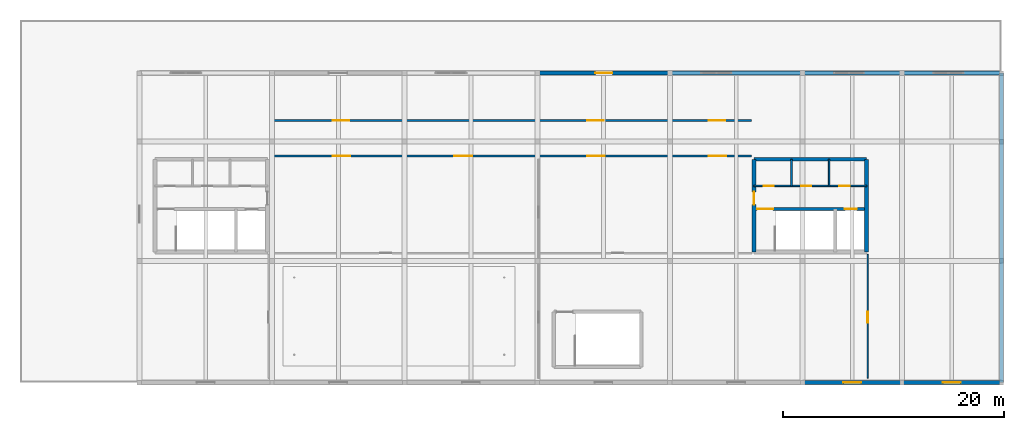
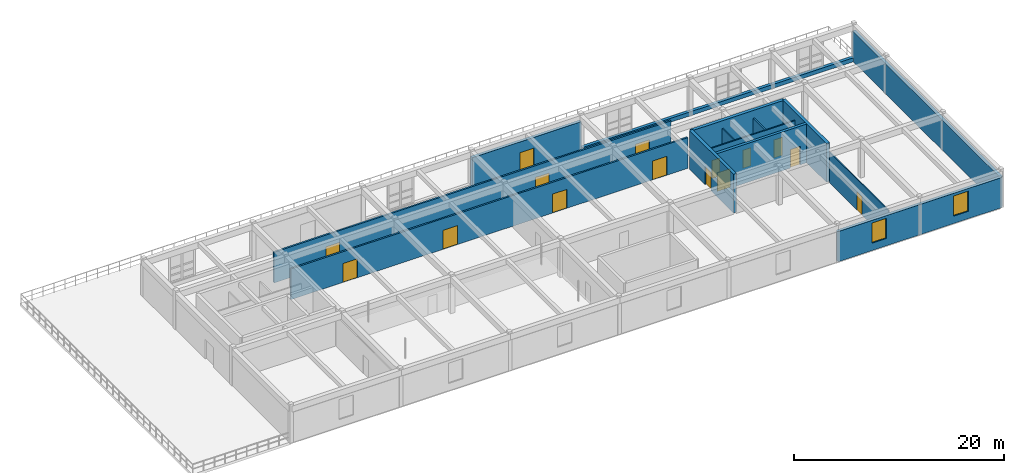
# One storey, part 13 of 15: 17 walls, 15 doors, 2 windows, 17 openings.
"""IFC4 building model written with IfcOpenShell, lengths in metres."""

from ifc_helpers import new_model, si_unit, derived_unit, direction, frame, frame_2d, origin, place, context, subcontext, project, spatial, rectangle, extrude, material, layer, layer_set, type_object, element, fill, save


model = new_model("IFC4")

# Units and contexts
model_context = context("Model", 3, precision=1e-05, world=origin(), true_north=direction((0.0, 1.0)))
body_context = subcontext(model_context, "Body", "Model", "MODEL_VIEW")
ifc_project = project(units=[si_unit("LENGTHUNIT", "METRE"), si_unit("AREAUNIT", "SQUARE_METRE"), si_unit("VOLUMEUNIT", "CUBIC_METRE"), si_unit("PLANEANGLEUNIT", "RADIAN"), si_unit("MASSUNIT", "GRAM", prefix="KILO"), derived_unit("THERMALTRANSMITTANCEUNIT", [(si_unit("POWERUNIT", "WATT"), 1), (si_unit("LENGTHUNIT", "METRE"), -2), (si_unit("THERMODYNAMICTEMPERATUREUNIT", "KELVIN"), -1)])], contexts=[model_context])

# Site, building, storey
site_placement = place(None, origin())
site = spatial("IfcSite", under=ifc_project, at=site_placement, CompositionType="ELEMENT")
building_placement = place(site_placement, origin())
building = spatial("IfcBuilding", under=site, at=building_placement, Name="Almenara Railside Exhibition Hall", CompositionType="ELEMENT")
storey_placement = place(building_placement, frame((0.0, 0.0, 16.199951171875)))
storey = spatial("IfcBuildingStorey", under=building, at=storey_placement, Name="L03", CompositionType="ELEMENT", Elevation=16.199951171875)

# Wall
ifc_material_1 = material(Name="Concrete C35/45", Category="concrete")
ifc_layer_1 = layer(ifc_material_1, 0.35009765625, Name="Concrete C35/45")
ifc_layer_set_1 = layer_set([ifc_layer_1], Name="Concrete C35/45")
wall_type_1 = type_object("IfcWallType", Name="Core Coupled Shear Wall 350mm C35/45", PredefinedType="SHEAR", material=ifc_layer_set_1)
wall_1_placement = place(storey_placement, frame((191.800048828125, 20.199951171875, 0.0), z_axis=(0.0, 0.0, 1.0), x_axis=(-1.0, 0.0, 0.0)))
element("IfcWall", 1, at=wall_1_placement, inside=storey, type_object=wall_type_1, Name="Interior wall 0182", PredefinedType="SHEAR", context=body_context, shape_type="SweptSolid", body=[
    extrude(rectangle(XDim=10.199951171875, YDim=0.35009765625, at=frame_2d((5.10009765625, 0.0))), origin(), (0.0, 0.0, 1.0), 4.5),
])

# Wall, opening, door
wall_2_placement = place(storey_placement, frame((181.60009765625, 20.199951171875, 0.0), z_axis=(0.0, 0.0, 1.0), x_axis=(0.0, -1.0, 0.0)))
wall_2 = element("IfcWall", 2, at=wall_2_placement, inside=storey, type_object=wall_type_1, Name="Interior wall 0183", PredefinedType="SHEAR", context=body_context, shape_type="SweptSolid", body=[
    extrude(rectangle(XDim=8.39990234375, YDim=0.35009765625, at=frame_2d((4.199951171875, 0.0))), origin(), (0.0, 0.0, 1.0), 4.5),
])
opening_1_placement = place(wall_2_placement, frame((2.949951171875, 0.0, 0.0)))
opening_1 = element("IfcOpeningElement", 3, at=opening_1_placement, cuts=wall_2, Name="Opening FD-115", PredefinedType="OPENING", context=body_context, shape_type="SweptSolid", body=[
    extrude(rectangle(XDim=1.14990234375, YDim=2.14990234375, at=frame_2d((0.574951171875, 1.074951171875))), frame((0.0, 0.18505859375, 0.0), z_axis=(0.0, -1.0, 0.0), x_axis=(1.0, 0.0, 0.0)), (0.0, 0.0, 1.0), 0.3701171875),
])
ifc_material_2 = material(Name="Fire-rated iroko timber door", Category="wood")
door_type_1 = type_object("IfcDoorType", Name="Core Lobby Fire Door 1150x2150 EI60", OperationType="NOTDEFINED", PredefinedType="DOOR", material=ifc_material_2)
door_1_placement = place(opening_1_placement, origin())
door_1 = element("IfcDoor", 4, at=door_1_placement, inside=storey, type_object=door_type_1, Name="Interior door FD-115-121", OperationType="SINGLE_SWING_LEFT", OverallHeight=2.14990234375, OverallWidth=1.14990234375, PredefinedType="DOOR", context=body_context, shape_type="SweptSolid", body=[
    extrude(rectangle(XDim=1.14990234375, YDim=2.14990234375, at=frame_2d((0.574951171875, 1.074951171875))), frame((0.0, 0.02490234375, 0.0), z_axis=(0.0, -1.0, 0.0), x_axis=(1.0, 0.0, 0.0)), (0.0, 0.0, 1.0), 0.050048828125),
])
fill(opening_1, door_1)

# Wall
wall_3_placement = place(storey_placement, frame((191.800048828125, 11.800048828125, 0.0), z_axis=(0.0, 0.0, 1.0), x_axis=(0.0, 1.0, 0.0)))
element("IfcWall", 5, at=wall_3_placement, inside=storey, type_object=wall_type_1, Name="Interior wall 0184", PredefinedType="SHEAR", context=body_context, shape_type="SweptSolid", body=[
    extrude(rectangle(XDim=8.39990234375, YDim=0.35009765625, at=frame_2d((4.199951171875, 0.0))), origin(), (0.0, 0.0, 1.0), 4.5),
])

# Wall, openings, doors
ifc_material_3 = material(Name="Fire-rated gypsum and masonry partition", Category="masonry")
ifc_layer_2 = layer(ifc_material_3, 0.18505859375, Name="Fire-rated gypsum and masonry partition")
ifc_layer_set_2 = layer_set([ifc_layer_2], Name="Fire-rated gypsum and masonry partition")
wall_type_2 = type_object("IfcWallType", Name="Corridor Fire Partition 185mm", PredefinedType="PARTITIONING", material=ifc_layer_set_2)
wall_4_placement = place(storey_placement, frame((137.800048828125, 20.5, 0.0), z_axis=(0.0, 0.0, 1.0), x_axis=(1.0, 0.0, 0.0)))
wall_4 = element("IfcWall", 6, at=wall_4_placement, inside=storey, type_object=wall_type_2, Name="Interior wall 0390", PredefinedType="PARTITIONING", context=body_context, shape_type="SweptSolid", body=[
    extrude(rectangle(XDim=43.599853515625, YDim=0.18505859375, at=frame_2d((21.7998046875, 0.0))), origin(), (0.0, 0.0, 1.0), 3.56494140625),
])
opening_2_placement = place(wall_4_placement, frame((5.699951171875, 0.0, 0.0)))
opening_2 = element("IfcOpeningElement", 7, at=opening_2_placement, cuts=wall_4, Name="Opening ID-16", PredefinedType="OPENING", context=body_context, shape_type="SweptSolid", body=[
    extrude(rectangle(XDim=1.60009765625, YDim=2.199951171875, at=frame_2d((0.800048828125, 1.10009765625))), frame((0.0, 0.1025390625, 0.0), z_axis=(0.0, -1.0, 0.0), x_axis=(1.0, 0.0, 0.0)), (0.0, 0.0, 1.0), 0.205078125),
])
opening_3_placement = place(wall_4_placement, frame((28.699951171875, 0.0, 0.0)))
opening_3 = element("IfcOpeningElement", 8, at=opening_3_placement, cuts=wall_4, Name="Opening ID-16", PredefinedType="OPENING", context=body_context, shape_type="SweptSolid", body=[
    extrude(rectangle(XDim=1.60009765625, YDim=2.199951171875, at=frame_2d((0.800048828125, 1.10009765625))), frame((0.0, 0.1025390625, 0.0), z_axis=(0.0, -1.0, 0.0), x_axis=(1.0, 0.0, 0.0)), (0.0, 0.0, 1.0), 0.205078125),
])
opening_4_placement = place(wall_4_placement, frame((39.699951171875, 0.0, 0.0)))
opening_4 = element("IfcOpeningElement", 9, at=opening_4_placement, cuts=wall_4, Name="Opening ID-16", PredefinedType="OPENING", context=body_context, shape_type="SweptSolid", body=[
    extrude(rectangle(XDim=1.60009765625, YDim=2.199951171875, at=frame_2d((0.800048828125, 1.10009765625))), frame((0.0, 0.1025390625, 0.0), z_axis=(0.0, -1.0, 0.0), x_axis=(1.0, 0.0, 0.0)), (0.0, 0.0, 1.0), 0.205078125),
])
opening_5_placement = place(wall_4_placement, frame((16.699951171875, 0.0, 0.0)))
opening_5 = element("IfcOpeningElement", 10, at=opening_5_placement, cuts=wall_4, Name="Opening ID-16", PredefinedType="OPENING", context=body_context, shape_type="SweptSolid", body=[
    extrude(rectangle(XDim=1.60009765625, YDim=2.199951171875, at=frame_2d((0.800048828125, 1.10009765625))), frame((0.0, 0.1025390625, 0.0), z_axis=(0.0, -1.0, 0.0), x_axis=(1.0, 0.0, 0.0)), (0.0, 0.0, 1.0), 0.205078125),
])
ifc_material_4 = material(Name="Iroko hardwood double door", Category="wood")
door_type_2 = type_object("IfcDoorType", Name="Meeting Suite Double Door 1600x2200", OperationType="NOTDEFINED", PredefinedType="DOOR", material=ifc_material_4)
door_2_placement = place(opening_2_placement, origin())
door_2 = element("IfcDoor", 11, at=door_2_placement, inside=storey, type_object=door_type_2, Name="Interior door ID-16-265", OperationType="DOUBLE_DOOR_SINGLE_SWING", OverallHeight=2.199951171875, OverallWidth=1.60009765625, PredefinedType="DOOR", context=body_context, shape_type="SweptSolid", body=[
    extrude(rectangle(XDim=1.60009765625, YDim=2.199951171875, at=frame_2d((0.800048828125, 1.10009765625))), frame((0.0, 0.02490234375, 0.0), z_axis=(0.0, -1.0, 0.0), x_axis=(1.0, 0.0, 0.0)), (0.0, 0.0, 1.0), 0.050048828125),
])
fill(opening_2, door_2)
door_3_placement = place(opening_3_placement, origin())
door_3 = element("IfcDoor", 12, at=door_3_placement, inside=storey, type_object=door_type_2, Name="Interior door ID-16-267", OperationType="DOUBLE_DOOR_SINGLE_SWING", OverallHeight=2.199951171875, OverallWidth=1.60009765625, PredefinedType="DOOR", context=body_context, shape_type="SweptSolid", body=[
    extrude(rectangle(XDim=1.60009765625, YDim=2.199951171875, at=frame_2d((0.800048828125, 1.10009765625))), frame((0.0, 0.02490234375, 0.0), z_axis=(0.0, -1.0, 0.0), x_axis=(1.0, 0.0, 0.0)), (0.0, 0.0, 1.0), 0.050048828125),
])
fill(opening_3, door_3)
door_4_placement = place(opening_4_placement, origin())
door_4 = element("IfcDoor", 13, at=door_4_placement, inside=storey, type_object=door_type_2, Name="Interior door ID-16-269", OperationType="DOUBLE_DOOR_SINGLE_SWING", OverallHeight=2.199951171875, OverallWidth=1.60009765625, PredefinedType="DOOR", context=body_context, shape_type="SweptSolid", body=[
    extrude(rectangle(XDim=1.60009765625, YDim=2.199951171875, at=frame_2d((0.800048828125, 1.10009765625))), frame((0.0, 0.02490234375, 0.0), z_axis=(0.0, -1.0, 0.0), x_axis=(1.0, 0.0, 0.0)), (0.0, 0.0, 1.0), 0.050048828125),
])
fill(opening_4, door_4)
door_5_placement = place(opening_5_placement, origin())
door_5 = element("IfcDoor", 14, at=door_5_placement, inside=storey, type_object=door_type_2, Name="Interior door ID-16-271", OperationType="DOUBLE_DOOR_SINGLE_SWING", OverallHeight=2.199951171875, OverallWidth=1.60009765625, PredefinedType="DOOR", context=body_context, shape_type="SweptSolid", body=[
    extrude(rectangle(XDim=1.60009765625, YDim=2.199951171875, at=frame_2d((0.800048828125, 1.10009765625))), frame((0.0, 0.02490234375, 0.0), z_axis=(0.0, -1.0, 0.0), x_axis=(1.0, 0.0, 0.0)), (0.0, 0.0, 1.0), 0.050048828125),
])
fill(opening_5, door_5)

wall_5_placement = place(storey_placement, frame((137.800048828125, 23.699951171875, 0.0), z_axis=(0.0, 0.0, 1.0), x_axis=(1.0, 0.0, 0.0)))
wall_5 = element("IfcWall", 15, at=wall_5_placement, inside=storey, type_object=wall_type_2, Name="Interior wall 0391", PredefinedType="PARTITIONING", context=body_context, shape_type="SweptSolid", body=[
    extrude(rectangle(XDim=43.599853515625, YDim=0.18505859375, at=frame_2d((21.7998046875, 0.0))), origin(), (0.0, 0.0, 1.0), 3.56494140625),
])
opening_6_placement = place(wall_5_placement, frame((5.699951171875, 0.0, 0.0)))
opening_6 = element("IfcOpeningElement", 16, at=opening_6_placement, cuts=wall_5, Name="Opening ID-15", PredefinedType="OPENING", context=body_context, shape_type="SweptSolid", body=[
    extrude(rectangle(XDim=1.5, YDim=2.199951171875, at=frame_2d((0.75, 1.10009765625))), frame((0.0, 0.1025390625, 0.0), z_axis=(0.0, -1.0, 0.0), x_axis=(1.0, 0.0, 0.0)), (0.0, 0.0, 1.0), 0.205078125),
])
opening_7_placement = place(wall_5_placement, frame((28.699951171875, 0.0, 0.0)))
opening_7 = element("IfcOpeningElement", 17, at=opening_7_placement, cuts=wall_5, Name="Opening ID-15", PredefinedType="OPENING", context=body_context, shape_type="SweptSolid", body=[
    extrude(rectangle(XDim=1.5, YDim=2.199951171875, at=frame_2d((0.75, 1.10009765625))), frame((0.0, 0.1025390625, 0.0), z_axis=(0.0, -1.0, 0.0), x_axis=(1.0, 0.0, 0.0)), (0.0, 0.0, 1.0), 0.205078125),
])
opening_8_placement = place(wall_5_placement, frame((39.699951171875, 0.0, 0.0)))
opening_8 = element("IfcOpeningElement", 18, at=opening_8_placement, cuts=wall_5, Name="Opening ID-15", PredefinedType="OPENING", context=body_context, shape_type="SweptSolid", body=[
    extrude(rectangle(XDim=1.5, YDim=2.199951171875, at=frame_2d((0.75, 1.10009765625))), frame((0.0, 0.1025390625, 0.0), z_axis=(0.0, -1.0, 0.0), x_axis=(1.0, 0.0, 0.0)), (0.0, 0.0, 1.0), 0.205078125),
])
door_type_3 = type_object("IfcDoorType", Name="Gallery Double Door 1500x2200", OperationType="NOTDEFINED", PredefinedType="DOOR", material=ifc_material_4)
door_6_placement = place(opening_6_placement, origin())
door_6 = element("IfcDoor", 19, at=door_6_placement, inside=storey, type_object=door_type_3, Name="Interior door ID-15-266", OperationType="DOUBLE_DOOR_SINGLE_SWING", OverallHeight=2.199951171875, OverallWidth=1.5, PredefinedType="DOOR", context=body_context, shape_type="SweptSolid", body=[
    extrude(rectangle(XDim=1.5, YDim=2.199951171875, at=frame_2d((0.75, 1.10009765625))), frame((0.0, 0.02490234375, 0.0), z_axis=(0.0, -1.0, 0.0), x_axis=(1.0, 0.0, 0.0)), (0.0, 0.0, 1.0), 0.050048828125),
])
fill(opening_6, door_6)
door_7_placement = place(opening_7_placement, origin())
door_7 = element("IfcDoor", 20, at=door_7_placement, inside=storey, type_object=door_type_3, Name="Interior door ID-15-268", OperationType="DOUBLE_DOOR_SINGLE_SWING", OverallHeight=2.199951171875, OverallWidth=1.5, PredefinedType="DOOR", context=body_context, shape_type="SweptSolid", body=[
    extrude(rectangle(XDim=1.5, YDim=2.199951171875, at=frame_2d((0.75, 1.10009765625))), frame((0.0, 0.02490234375, 0.0), z_axis=(0.0, -1.0, 0.0), x_axis=(1.0, 0.0, 0.0)), (0.0, 0.0, 1.0), 0.050048828125),
])
fill(opening_7, door_7)
door_8_placement = place(opening_8_placement, origin())
door_8 = element("IfcDoor", 21, at=door_8_placement, inside=storey, type_object=door_type_3, Name="Interior door ID-15-270", OperationType="DOUBLE_DOOR_SINGLE_SWING", OverallHeight=2.199951171875, OverallWidth=1.5, PredefinedType="DOOR", context=body_context, shape_type="SweptSolid", body=[
    extrude(rectangle(XDim=1.5, YDim=2.199951171875, at=frame_2d((0.75, 1.10009765625))), frame((0.0, 0.02490234375, 0.0), z_axis=(0.0, -1.0, 0.0), x_axis=(1.0, 0.0, 0.0)), (0.0, 0.0, 1.0), 0.050048828125),
])
fill(opening_8, door_8)

# Wall, opening, door
ifc_material_5 = material(Name="Ochre-white lime-rendered masonry over Concrete C35/45", Category="masonry")
ifc_layer_3 = layer(ifc_material_5, 0.3349609375, Name="Ochre-white lime-rendered masonry over Concrete C35/45")
ifc_layer_set_3 = layer_set([ifc_layer_3], Name="Ochre-white lime-rendered masonry over Concrete C35/45")
wall_type_3 = type_object("IfcWallType", Name="Exterior Belvedere Wall 335mm C35/45", PredefinedType="SOLIDWALL", material=ifc_layer_set_3)
wall_6_placement = place(storey_placement, frame((174.0, 28.0, 0.0), z_axis=(0.0, 0.0, 1.0), x_axis=(-1.0, 0.0, 0.0)))
wall_6 = element("IfcWall", 22, at=wall_6_placement, inside=storey, type_object=wall_type_3, Name="Exterior wall 0287", PredefinedType="SOLIDWALL", context=body_context, shape_type="SweptSolid", body=[
    extrude(rectangle(XDim=12.0, YDim=0.3349609375, at=frame_2d((6.0, 0.0))), origin(), (0.0, 0.0, 1.0), 3.5),
])
opening_9_placement = place(wall_6_placement, frame((5.199951171875, 0.0, 0.0)))
opening_9 = element("IfcOpeningElement", 23, at=opening_9_placement, cuts=wall_6, Name="Opening TD-05", PredefinedType="OPENING", context=body_context, shape_type="SweptSolid", body=[
    extrude(rectangle(XDim=1.550048828125, YDim=2.25, at=frame_2d((0.77490234375, 1.125))), frame((0.0, 0.177490234375, 0.0), z_axis=(0.0, -1.0, 0.0), x_axis=(1.0, 0.0, 0.0)), (0.0, 0.0, 1.0), 0.35498046875),
])
ifc_material_6 = material(Name="Bronze-anodised glazed terrace door")
door_type_4 = type_object("IfcDoorType", Name="Belvedere Terrace Double Door 1550x2250", OperationType="NOTDEFINED", PredefinedType="DOOR", material=ifc_material_6)
door_9_placement = place(opening_9_placement, origin())
door_9 = element("IfcDoor", 24, at=door_9_placement, inside=storey, type_object=door_type_4, Name="Exterior door TD-05", OperationType="DOUBLE_DOOR_SINGLE_SWING", OverallHeight=2.25, OverallWidth=1.550048828125, PredefinedType="DOOR", context=body_context, shape_type="SweptSolid", body=[
    extrude(rectangle(XDim=1.550048828125, YDim=2.25, at=frame_2d((0.77490234375, 1.125))), frame((0.0, 0.02490234375, 0.0), z_axis=(0.0, -1.0, 0.0), x_axis=(1.0, 0.0, 0.0)), (0.0, 0.0, 1.0), 0.050048828125),
])
fill(opening_9, door_9)

# Wall
wall_7_placement = place(storey_placement, frame((186.0, 28.0, 0.0), z_axis=(0.0, 0.0, 1.0), x_axis=(-1.0, 0.0, 0.0)))
element("IfcWall", 25, at=wall_7_placement, inside=storey, type_object=wall_type_3, Name="Exterior wall 0289", PredefinedType="SOLIDWALL", context=body_context, shape_type="SweptSolid", body=[
    extrude(rectangle(XDim=12.0, YDim=0.3349609375, at=frame_2d((6.0, 0.0))), origin(), (0.0, 0.0, 1.0), 0.449951171875),
])

# Wall, opening, window
wall_8_placement = place(storey_placement, frame((186.0, 0.0, 0.0), z_axis=(0.0, 0.0, 1.0), x_axis=(1.0, 0.0, 0.0)))
wall_8 = element("IfcWall", 26, at=wall_8_placement, inside=storey, type_object=wall_type_3, Name="Exterior wall 0290", PredefinedType="SOLIDWALL", context=body_context, shape_type="SweptSolid", body=[
    extrude(rectangle(XDim=9.0, YDim=0.3349609375, at=frame_2d((4.5, 0.0))), origin(), (0.0, 0.0, 1.0), 3.5),
])
opening_10_placement = place(wall_8_placement, frame((3.699951171875, 0.0, 0.85009765625)))
opening_10 = element("IfcOpeningElement", 27, at=opening_10_placement, cuts=wall_8, Name="Opening W-07", PredefinedType="OPENING", context=body_context, shape_type="SweptSolid", body=[
    extrude(rectangle(XDim=1.60009765625, YDim=2.35009765625, at=frame_2d((0.800048828125, 1.175048828125))), frame((0.0, 0.177490234375, 0.0), z_axis=(0.0, -1.0, 0.0), x_axis=(1.0, 0.0, 0.0)), (0.0, 0.0, 1.0), 0.35498046875),
])
ifc_material_7 = material(Name="Bronze-anodised aluminium and low-E double glazing", Category="aluminium")
window_type = type_object("IfcWindowType", Name="Belvedere Casement Window 1600x2350", PartitioningType="DOUBLE_PANEL_VERTICAL", PredefinedType="WINDOW", material=ifc_material_7)
window_1_placement = place(opening_10_placement, origin())
window_1 = element("IfcWindow", 28, at=window_1_placement, inside=storey, type_object=window_type, Name="Window 0128", OverallHeight=2.35009765625, OverallWidth=1.60009765625, PartitioningType="DOUBLE_PANEL_VERTICAL", PredefinedType="WINDOW", context=body_context, shape_type="SweptSolid", body=[
    extrude(rectangle(XDim=1.60009765625, YDim=2.35009765625, at=frame_2d((0.800048828125, 1.175048828125))), frame((0.0, 0.030029296875, 0.0), z_axis=(0.0, -1.0, 0.0), x_axis=(1.0, 0.0, 0.0)), (0.0, 0.0, 1.0), 0.06005859375),
])
fill(opening_10, window_1)

# Wall
wall_9_placement = place(storey_placement, frame((195.0, 28.0, 0.0), z_axis=(0.0, 0.0, 1.0), x_axis=(-1.0, 0.0, 0.0)))
element("IfcWall", 29, at=wall_9_placement, inside=storey, type_object=wall_type_3, Name="Exterior wall 0291", PredefinedType="SOLIDWALL", context=body_context, shape_type="SweptSolid", body=[
    extrude(rectangle(XDim=9.0, YDim=0.3349609375, at=frame_2d((4.5, 0.0))), origin(), (0.0, 0.0, 1.0), 0.449951171875),
])

# Wall, opening, window
wall_10_placement = place(storey_placement, frame((195.0, 0.0, 0.0), z_axis=(0.0, 0.0, 1.0), x_axis=(1.0, 0.0, 0.0)))
wall_10 = element("IfcWall", 30, at=wall_10_placement, inside=storey, type_object=wall_type_3, Name="Exterior wall 0292", PredefinedType="SOLIDWALL", context=body_context, shape_type="SweptSolid", body=[
    extrude(rectangle(XDim=9.0, YDim=0.3349609375, at=frame_2d((4.5, 0.0))), origin(), (0.0, 0.0, 1.0), 3.5),
])
opening_11_placement = place(wall_10_placement, frame((3.699951171875, 0.0, 0.85009765625)))
opening_11 = element("IfcOpeningElement", 31, at=opening_11_placement, cuts=wall_10, Name="Opening W-07", PredefinedType="OPENING", context=body_context, shape_type="SweptSolid", body=[
    extrude(rectangle(XDim=1.60009765625, YDim=2.35009765625, at=frame_2d((0.800048828125, 1.175048828125))), frame((0.0, 0.177490234375, 0.0), z_axis=(0.0, -1.0, 0.0), x_axis=(1.0, 0.0, 0.0)), (0.0, 0.0, 1.0), 0.35498046875),
])
window_2_placement = place(opening_11_placement, origin())
window_2 = element("IfcWindow", 32, at=window_2_placement, inside=storey, type_object=window_type, Name="Window 0129", OverallHeight=2.35009765625, OverallWidth=1.60009765625, PartitioningType="DOUBLE_PANEL_VERTICAL", PredefinedType="WINDOW", context=body_context, shape_type="SweptSolid", body=[
    extrude(rectangle(XDim=1.60009765625, YDim=2.35009765625, at=frame_2d((0.800048828125, 1.175048828125))), frame((0.0, 0.030029296875, 0.0), z_axis=(0.0, -1.0, 0.0), x_axis=(1.0, 0.0, 0.0)), (0.0, 0.0, 1.0), 0.06005859375),
])
fill(opening_11, window_2)

# Walls
wall_11_placement = place(storey_placement, frame((204.0, 28.0, 0.0), z_axis=(0.0, 0.0, 1.0), x_axis=(-1.0, 0.0, 0.0)))
element("IfcWall", 33, at=wall_11_placement, inside=storey, type_object=wall_type_3, Name="Exterior wall 0293", PredefinedType="SOLIDWALL", context=body_context, shape_type="SweptSolid", body=[
    extrude(rectangle(XDim=9.0, YDim=0.3349609375, at=frame_2d((4.5, 0.0))), origin(), (0.0, 0.0, 1.0), 0.449951171875),
])
wall_12_placement = place(storey_placement, frame((204.0, 0.0, 0.0), z_axis=(0.0, 0.0, 1.0), x_axis=(0.0, 1.0, 0.0)))
element("IfcWall", 34, at=wall_12_placement, inside=storey, type_object=wall_type_3, Name="Exterior wall 0295", PredefinedType="SOLIDWALL", context=body_context, shape_type="SweptSolid", body=[
    extrude(rectangle(XDim=28.0, YDim=0.3349609375, at=frame_2d((14.0, 0.0))), origin(), (0.0, 0.0, 1.0), 3.5),
])

# Wall, opening, door
ifc_material_8 = material(Name="Timber and laminated glass partition", Category="wood")
ifc_layer_4 = layer(ifc_material_8, 0.114990234375, Name="Timber and laminated glass partition")
ifc_layer_set_4 = layer_set([ifc_layer_4], Name="Timber and laminated glass partition")
wall_type_4 = type_object("IfcWallType", Name="Office Glazed Partition 115mm", PredefinedType="PARTITIONING", material=ifc_layer_set_4)
wall_13_placement = place(storey_placement, frame((191.89990234375, 0.39990234375, 0.0), z_axis=(0.0, 0.0, 1.0), x_axis=(0.0, 1.0, 0.0)))
wall_13 = element("IfcWall", 35, at=wall_13_placement, inside=storey, type_object=wall_type_4, Name="Interior wall 0394", PredefinedType="PARTITIONING", context=body_context, shape_type="SweptSolid", body=[
    extrude(rectangle(XDim=11.2001953125, YDim=0.114990234375, at=frame_2d((5.60009765625, 0.0))), origin(), (0.0, 0.0, 1.0), 3.56494140625),
])
opening_12_placement = place(wall_13_placement, frame((5.0, 0.0, 0.0)))
opening_12 = element("IfcOpeningElement", 36, at=opening_12_placement, cuts=wall_13, Name="Opening ID-10", PredefinedType="OPENING", context=body_context, shape_type="SweptSolid", body=[
    extrude(rectangle(XDim=1.0, YDim=2.14990234375, at=frame_2d((0.5, 1.074951171875))), frame((0.0, 0.0673828125, 0.0), z_axis=(0.0, -1.0, 0.0), x_axis=(1.0, 0.0, 0.0)), (0.0, 0.0, 1.0), 0.135009765625),
])
ifc_material_9 = material(Name="Iroko hardwood single door", Category="wood")
door_type_5 = type_object("IfcDoorType", Name="Standard Room Single Door 1000x2150", OperationType="NOTDEFINED", PredefinedType="DOOR", material=ifc_material_9)
door_10_placement = place(opening_12_placement, origin())
door_10 = element("IfcDoor", 37, at=door_10_placement, inside=storey, type_object=door_type_5, Name="Interior door ID-10-276", OperationType="SINGLE_SWING_LEFT", OverallHeight=2.14990234375, OverallWidth=1.0, PredefinedType="DOOR", context=body_context, shape_type="SweptSolid", body=[
    extrude(rectangle(XDim=1.0, YDim=2.14990234375, at=frame_2d((0.5, 1.074951171875))), frame((0.0, 0.02490234375, 0.0), z_axis=(0.0, -1.0, 0.0), x_axis=(1.0, 0.0, 0.0)), (0.0, 0.0, 1.0), 0.050048828125),
])
fill(opening_12, door_10)

# Wall, openings, doors
ifc_material_10 = material(Name="Moisture-resistant tiled masonry partition", Category="masonry")
ifc_layer_5 = layer(ifc_material_10, 0.139892578125, Name="Moisture-resistant tiled masonry partition")
ifc_layer_set_5 = layer_set([ifc_layer_5], Name="Moisture-resistant tiled masonry partition")
wall_type_5 = type_object("IfcWallType", Name="Sanitary Wet-Wall Partition 140mm", PredefinedType="PARTITIONING", material=ifc_layer_set_5)
wall_14_placement = place(storey_placement, frame((181.60009765625, 17.800048828125, 0.0), z_axis=(0.0, 0.0, 1.0), x_axis=(1.0, 0.0, 0.0)))
wall_14 = element("IfcWall", 38, at=wall_14_placement, inside=storey, type_object=wall_type_5, Name="Interior wall 0187", PredefinedType="PARTITIONING", context=body_context, shape_type="SweptSolid", body=[
    extrude(rectangle(XDim=10.199951171875, YDim=0.139892578125, at=frame_2d((5.10009765625, 0.0))), origin(), (0.0, 0.0, 1.0), 3.56494140625),
])
opening_13_placement = place(wall_14_placement, frame((0.89990234375, 0.0, 0.0)))
opening_13 = element("IfcOpeningElement", 39, at=opening_13_placement, cuts=wall_14, Name="Opening ID-09", PredefinedType="OPENING", context=body_context, shape_type="SweptSolid", body=[
    extrude(rectangle(XDim=0.89990234375, YDim=2.10009765625, at=frame_2d((0.449951171875, 1.050048828125))), frame((0.0, 0.079833984375, 0.0), z_axis=(0.0, -1.0, 0.0), x_axis=(1.0, 0.0, 0.0)), (0.0, 0.0, 1.0), 0.159912109375),
])
opening_14_placement = place(wall_14_placement, frame((4.300048828125, 0.0, 0.0)))
opening_14 = element("IfcOpeningElement", 40, at=opening_14_placement, cuts=wall_14, Name="Opening ID-09", PredefinedType="OPENING", context=body_context, shape_type="SweptSolid", body=[
    extrude(rectangle(XDim=0.89990234375, YDim=2.10009765625, at=frame_2d((0.449951171875, 1.050048828125))), frame((0.0, 0.079833984375, 0.0), z_axis=(0.0, -1.0, 0.0), x_axis=(1.0, 0.0, 0.0)), (0.0, 0.0, 1.0), 0.159912109375),
])
opening_15_placement = place(wall_14_placement, frame((7.699951171875, 0.0, 0.0)))
opening_15 = element("IfcOpeningElement", 41, at=opening_15_placement, cuts=wall_14, Name="Opening ID-095", PredefinedType="OPENING", context=body_context, shape_type="SweptSolid", body=[
    extrude(rectangle(XDim=0.949951171875, YDim=2.10009765625, at=frame_2d((0.47509765625, 1.050048828125))), frame((0.0, 0.079833984375, 0.0), z_axis=(0.0, -1.0, 0.0), x_axis=(1.0, 0.0, 0.0)), (0.0, 0.0, 1.0), 0.159912109375),
])
ifc_material_11 = material(Name="Moisture-resistant hardwood door", Category="wood")
door_type_6 = type_object("IfcDoorType", Name="Accessible Toilet Door 950x2100", OperationType="NOTDEFINED", PredefinedType="DOOR", material=ifc_material_11)
door_11_placement = place(opening_15_placement, origin())
door_11 = element("IfcDoor", 42, at=door_11_placement, inside=storey, type_object=door_type_6, Name="Interior door ID-095-126", OperationType="SINGLE_SWING_RIGHT", OverallHeight=2.10009765625, OverallWidth=0.949951171875, PredefinedType="DOOR", context=body_context, shape_type="SweptSolid", body=[
    extrude(rectangle(XDim=0.949951171875, YDim=2.10009765625, at=frame_2d((0.47509765625, 1.050048828125))), frame((0.0, 0.02490234375, 0.0), z_axis=(0.0, -1.0, 0.0), x_axis=(1.0, 0.0, 0.0)), (0.0, 0.0, 1.0), 0.050048828125),
])
fill(opening_15, door_11)
door_type_7 = type_object("IfcDoorType", Name="Sanitary Lobby Single Door 900x2100", OperationType="NOTDEFINED", PredefinedType="DOOR", material=ifc_material_11)
door_12_placement = place(opening_13_placement, origin())
door_12 = element("IfcDoor", 43, at=door_12_placement, inside=storey, type_object=door_type_7, Name="Interior door ID-09-124", OperationType="SINGLE_SWING_RIGHT", OverallHeight=2.10009765625, OverallWidth=0.89990234375, PredefinedType="DOOR", context=body_context, shape_type="SweptSolid", body=[
    extrude(rectangle(XDim=0.89990234375, YDim=2.10009765625, at=frame_2d((0.449951171875, 1.050048828125))), frame((0.0, 0.02490234375, 0.0), z_axis=(0.0, -1.0, 0.0), x_axis=(1.0, 0.0, 0.0)), (0.0, 0.0, 1.0), 0.050048828125),
])
fill(opening_13, door_12)
door_13_placement = place(opening_14_placement, origin())
door_13 = element("IfcDoor", 44, at=door_13_placement, inside=storey, type_object=door_type_7, Name="Interior door ID-09-125", OperationType="SINGLE_SWING_LEFT", OverallHeight=2.10009765625, OverallWidth=0.89990234375, PredefinedType="DOOR", context=body_context, shape_type="SweptSolid", body=[
    extrude(rectangle(XDim=0.89990234375, YDim=2.10009765625, at=frame_2d((0.449951171875, 1.050048828125))), frame((0.0, 0.02490234375, 0.0), z_axis=(0.0, -1.0, 0.0), x_axis=(1.0, 0.0, 0.0)), (0.0, 0.0, 1.0), 0.050048828125),
])
fill(opening_14, door_13)

# Walls
for number, where, z_axis, x_axis, name in (
    (45, (185.0, 17.800048828125, 0.0), (0.0, 0.0, 1.0), (0.0, 1.0, 0.0), "Interior wall 0188"),
    (46, (188.39990234375, 17.800048828125, 0.0), (0.0, 0.0, 1.0), (0.0, 1.0, 0.0), "Interior wall 0189"),
):
    element("IfcWall", number, at=place(storey_placement, frame(where, z_axis=z_axis, x_axis=x_axis)), inside=storey, type_object=wall_type_5, Name=name, PredefinedType="PARTITIONING", context=body_context, shape_type="SweptSolid", body=[
        extrude(rectangle(XDim=2.39990234375, YDim=0.139892578125, at=frame_2d((1.199951171875, 0.0))), origin(), (0.0, 0.0, 1.0), 3.60009765625),
    ])

# Wall, openings, doors
ifc_layer_6 = layer(ifc_material_1, 0.300048828125, Name="Concrete C35/45")
ifc_layer_set_6 = layer_set([ifc_layer_6], Name="Concrete C35/45")
wall_type_6 = type_object("IfcWallType", Name="Stair and Lift Shaft Wall 300mm C35/45", PredefinedType="SHEAR", material=ifc_layer_set_6)
wall_15_placement = place(storey_placement, frame((181.60009765625, 15.699951171875, 0.0), z_axis=(0.0, 0.0, 1.0), x_axis=(1.0, 0.0, 0.0)))
wall_15 = element("IfcWall", 47, at=wall_15_placement, inside=storey, type_object=wall_type_6, Name="Interior wall 0185", PredefinedType="SHEAR", context=body_context, shape_type="SweptSolid", body=[
    extrude(rectangle(XDim=10.199951171875, YDim=0.300048828125, at=frame_2d((5.10009765625, 0.0))), origin(), (0.0, 0.0, 1.0), 4.5),
])
opening_16_placement = place(wall_15_placement, frame((0.280029296875, 0.0, 0.0)))
opening_16 = element("IfcOpeningElement", 48, at=opening_16_placement, cuts=wall_15, Name="Opening FD-145", PredefinedType="OPENING", context=body_context, shape_type="SweptSolid", body=[
    extrude(rectangle(XDim=1.449951171875, YDim=2.14990234375, at=frame_2d((0.72509765625, 1.074951171875))), frame((0.0, 0.159912109375, 0.0), z_axis=(0.0, -1.0, 0.0), x_axis=(1.0, 0.0, 0.0)), (0.0, 0.0, 1.0), 0.320068359375),
])
opening_17_placement = place(wall_15_placement, frame((8.22509765625, 0.0, 0.0)))
opening_17 = element("IfcOpeningElement", 49, at=opening_17_placement, cuts=wall_15, Name="Opening LD-11-C6", PredefinedType="OPENING", context=body_context, shape_type="SweptSolid", body=[
    extrude(rectangle(XDim=1.10009765625, YDim=2.14990234375, at=frame_2d((0.550048828125, 1.074951171875))), frame((0.0, 0.159912109375, 0.0), z_axis=(0.0, -1.0, 0.0), x_axis=(1.0, 0.0, 0.0)), (0.0, 0.0, 1.0), 0.320068359375),
])
ifc_material_12 = material(Name="Steel-framed fire-rated timber door", Category="steel")
door_type_8 = type_object("IfcDoorType", Name="Fire Escape Stair Door 1450x2150 EI60", OperationType="NOTDEFINED", PredefinedType="DOOR", material=ifc_material_12)
door_14_placement = place(opening_16_placement, origin())
door_14 = element("IfcDoor", 50, at=door_14_placement, inside=storey, type_object=door_type_8, Name="Interior door FD-145-122", OperationType="DOUBLE_DOOR_SINGLE_SWING", OverallHeight=2.14990234375, OverallWidth=1.449951171875, PredefinedType="DOOR", context=body_context, shape_type="SweptSolid", body=[
    extrude(rectangle(XDim=1.449951171875, YDim=2.14990234375, at=frame_2d((0.72509765625, 1.074951171875))), frame((0.0, 0.02490234375, 0.0), z_axis=(0.0, -1.0, 0.0), x_axis=(1.0, 0.0, 0.0)), (0.0, 0.0, 1.0), 0.050048828125),
])
fill(opening_16, door_14)
ifc_material_13 = material(Name="Brushed bronze-stainless steel sliding landing door", Category="steel")
door_type_9 = type_object("IfcDoorType", Name="Passenger Lift Sliding Landing Door 1100x2150", OperationType="DOUBLE_DOOR_SLIDING", PredefinedType="DOOR", material=ifc_material_13)
door_15_placement = place(opening_17_placement, origin())
door_15 = element("IfcDoor", 51, at=door_15_placement, inside=storey, type_object=door_type_9, Name="Interior door LD-11-C6-123", OperationType="DOUBLE_DOOR_SLIDING", OverallHeight=2.14990234375, OverallWidth=1.10009765625, PredefinedType="DOOR", context=body_context, shape_type="SweptSolid", body=[
    extrude(rectangle(XDim=1.10009765625, YDim=2.14990234375, at=frame_2d((0.550048828125, 1.074951171875))), frame((0.0, 0.02490234375, 0.0), z_axis=(0.0, -1.0, 0.0), x_axis=(1.0, 0.0, 0.0)), (0.0, 0.0, 1.0), 0.050048828125),
])
fill(opening_17, door_15)

save(model, "model.ifc")
